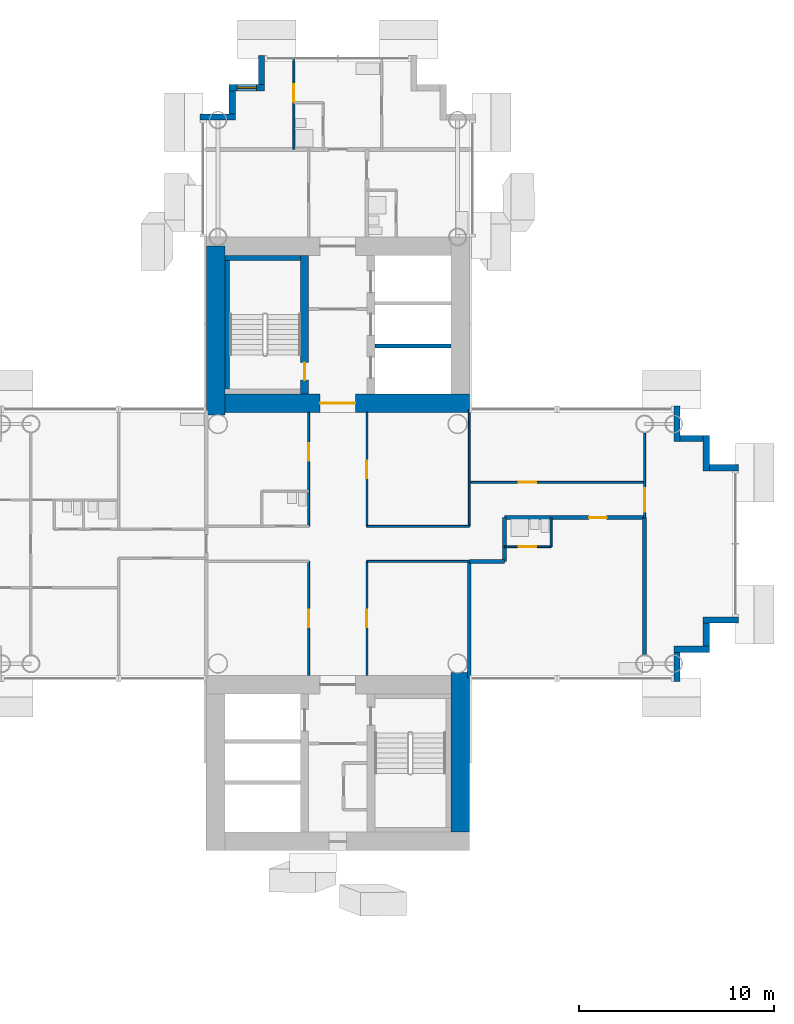
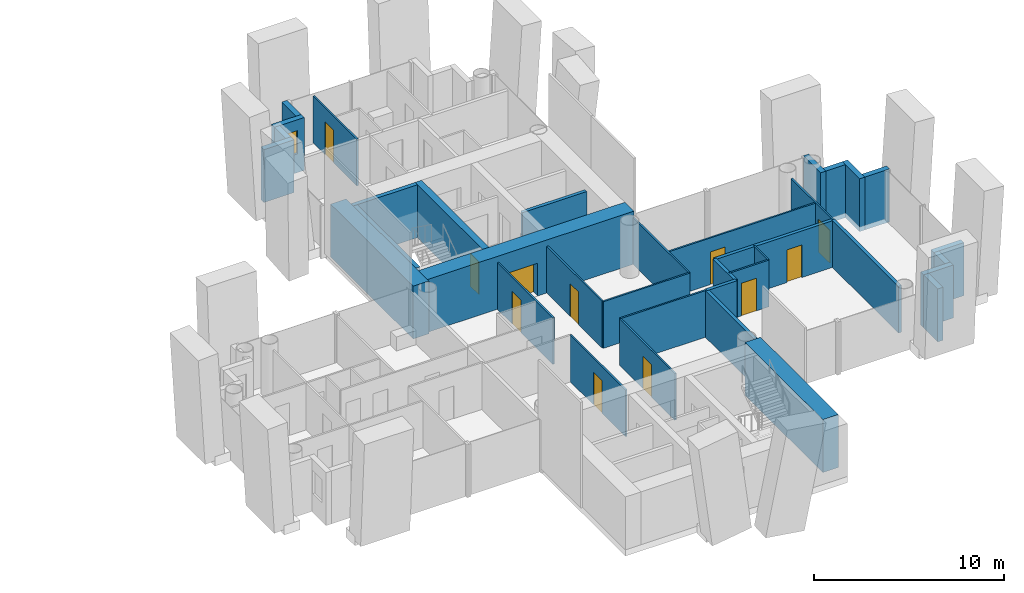
# One storey, part 13 of 21: 36 walls, 11 doors, 1 window, 12 openings.
"""IFC4 building model written with IfcOpenShell, lengths in metres."""

from ifc_helpers import new_model, si_unit, direction, frame, frame_2d, origin, place, context, subcontext, project, spatial, rectangle, extrude, material, layer, layer_set, type_object, element, fill, save


model = new_model("IFC4")

# Units and contexts
model_context = context("Model", 3, precision=1e-05, world=origin(), true_north=direction((0.0, 1.0)))
body_context = subcontext(model_context, "Body", "Model", "MODEL_VIEW")
ifc_project = project(units=[si_unit("LENGTHUNIT", "METRE"), si_unit("AREAUNIT", "SQUARE_METRE"), si_unit("VOLUMEUNIT", "CUBIC_METRE"), si_unit("PLANEANGLEUNIT", "RADIAN"), si_unit("MASSUNIT", "GRAM", prefix="KILO")], contexts=[model_context])

# Site, building, storey
site_placement = place(None, origin())
site = spatial("IfcSite", under=ifc_project, at=site_placement, CompositionType="ELEMENT")
building_placement = place(site_placement, origin())
building = spatial("IfcBuilding", under=site, at=building_placement, Name="Ipe Terrace Towers", CompositionType="ELEMENT")
storey_placement = place(building_placement, frame((0.0, 0.0, 107.199951171875)))
storey = spatial("IfcBuildingStorey", under=building, at=storey_placement, Name="L29", CompositionType="ELEMENT", Elevation=107.199951171875)

# Walls
ifc_material_1 = material(Name="Concrete C40/50 with buff precast cladding", Category="concrete")
ifc_layer_1 = layer(ifc_material_1, 0.320068359375)
ifc_layer_set_1 = layer_set([ifc_layer_1], Name="BUFF CLADDING WALL 320")
wall_type_1 = type_object("IfcWallType", Name="BUFF CLADDING WALL 320", PredefinedType="STANDARD", material=ifc_layer_set_1)
wall_1_placement = place(storey_placement, frame((53.409912109375, -7.070068359375, -0.300048828125), z_axis=(0.0, 0.0, 1.0), x_axis=(0.0, 1.0, 0.0)))
element("IfcWall", 1, at=wall_1_placement, inside=storey, type_object=wall_type_1, Name="T2-W-L29-04a wall", PredefinedType="STANDARD", context=body_context, shape_type="SweptSolid", body=[
    extrude(rectangle(XDim=1.5, YDim=0.320068359375, at=frame_2d((0.75, 0.0))), origin(), (0.0, 0.0, 1.0), 3.400146484375),
])
wall_2_placement = place(storey_placement, frame((53.25, -5.409912109375, -0.300048828125), z_axis=(0.0, 0.0, 1.0), x_axis=(1.0, 0.0, 0.0)))
element("IfcWall", 2, at=wall_2_placement, inside=storey, type_object=wall_type_1, Name="T2-W-L29-05a wall", PredefinedType="STANDARD", context=body_context, shape_type="SweptSolid", body=[
    extrude(rectangle(XDim=1.820068359375, YDim=0.320068359375, at=frame_2d((0.91015625, 0.0))), origin(), (0.0, 0.0, 1.0), 3.400146484375),
])
wall_3_placement = place(storey_placement, frame((54.909912109375, -5.25, -0.300048828125), z_axis=(0.0, 0.0, 1.0), x_axis=(0.0, 1.0, 0.0)))
element("IfcWall", 3, at=wall_3_placement, inside=storey, type_object=wall_type_1, Name="T2-W-L29-06a wall", PredefinedType="STANDARD", context=body_context, shape_type="SweptSolid", body=[
    extrude(rectangle(XDim=1.179931640625, YDim=0.320068359375, at=frame_2d((0.58984375, 0.0))), origin(), (0.0, 0.0, 1.0), 3.400146484375),
])
wall_4_placement = place(storey_placement, frame((54.75, -3.909912109375, -0.300048828125), z_axis=(0.0, 0.0, 1.0), x_axis=(1.0, 0.0, 0.0)))
element("IfcWall", 4, at=wall_4_placement, inside=storey, type_object=wall_type_1, Name="T2-W-L29-07a wall", PredefinedType="STANDARD", context=body_context, shape_type="SweptSolid", body=[
    extrude(rectangle(XDim=1.820068359375, YDim=0.320068359375, at=frame_2d((0.91015625, 0.0))), origin(), (0.0, 0.0, 1.0), 3.400146484375),
])
wall_5_placement = place(storey_placement, frame((56.570068359375, 3.909912109375, -0.300048828125), z_axis=(0.0, 0.0, 1.0), x_axis=(-1.0, 0.0, 0.0)))
element("IfcWall", 5, at=wall_5_placement, inside=storey, type_object=wall_type_1, Name="T2-W-L29-09a wall", PredefinedType="STANDARD", context=body_context, shape_type="SweptSolid", body=[
    extrude(rectangle(XDim=1.5, YDim=0.320068359375, at=frame_2d((0.75, 0.0))), origin(), (0.0, 0.0, 1.0), 3.400146484375),
])
wall_6_placement = place(storey_placement, frame((54.909912109375, 3.75, -0.300048828125), z_axis=(0.0, 0.0, 1.0), x_axis=(0.0, 1.0, 0.0)))
element("IfcWall", 6, at=wall_6_placement, inside=storey, type_object=wall_type_1, Name="T2-W-L29-10a wall", PredefinedType="STANDARD", context=body_context, shape_type="SweptSolid", body=[
    extrude(rectangle(XDim=1.820068359375, YDim=0.320068359375, at=frame_2d((0.91015625, 0.0))), origin(), (0.0, 0.0, 1.0), 3.400146484375),
])
wall_7_placement = place(storey_placement, frame((54.75, 5.409912109375, -0.300048828125), z_axis=(0.0, 0.0, 1.0), x_axis=(-1.0, 0.0, 0.0)))
element("IfcWall", 7, at=wall_7_placement, inside=storey, type_object=wall_type_1, Name="T2-W-L29-11a wall", PredefinedType="STANDARD", context=body_context, shape_type="SweptSolid", body=[
    extrude(rectangle(XDim=1.179931640625, YDim=0.320068359375, at=frame_2d((0.58984375, 0.0))), origin(), (0.0, 0.0, 1.0), 3.400146484375),
])
wall_8_placement = place(storey_placement, frame((53.409912109375, 5.25, -0.300048828125), z_axis=(0.0, 0.0, 1.0), x_axis=(0.0, 1.0, 0.0)))
element("IfcWall", 8, at=wall_8_placement, inside=storey, type_object=wall_type_1, Name="T2-W-L29-12a wall", PredefinedType="STANDARD", context=body_context, shape_type="SweptSolid", body=[
    extrude(rectangle(XDim=1.820068359375, YDim=0.320068359375, at=frame_2d((0.91015625, 0.0))), origin(), (0.0, 0.0, 1.0), 3.400146484375),
])
wall_9_placement = place(storey_placement, frame((32.090087890625, 25.070068359375, -0.300048828125), z_axis=(0.0, 0.0, 1.0), x_axis=(0.0, -1.0, 0.0)))
element("IfcWall", 9, at=wall_9_placement, inside=storey, type_object=wall_type_1, Name="T2-W-L29-22a wall", PredefinedType="STANDARD", context=body_context, shape_type="SweptSolid", body=[
    extrude(rectangle(XDim=1.5, YDim=0.320068359375, at=frame_2d((0.75, 0.0))), origin(), (0.0, 0.0, 1.0), 3.400146484375),
])

# Wall, opening, window
wall_10_placement = place(storey_placement, frame((32.25, 23.409912109375, -0.300048828125), z_axis=(0.0, 0.0, 1.0), x_axis=(-1.0, 0.0, 0.0)))
wall_10 = element("IfcWall", 10, at=wall_10_placement, inside=storey, type_object=wall_type_1, Name="T2-W-L29-23a wall", PredefinedType="STANDARD", context=body_context, shape_type="SweptSolid", body=[
    extrude(rectangle(XDim=1.820068359375, YDim=0.320068359375, at=frame_2d((0.91015625, 0.0))), origin(), (0.0, 0.0, 1.0), 3.400146484375),
])
opening_1_placement = place(wall_10_placement, frame((0.409912109375, 0.0, 1.199951171875)))
opening_1 = element("IfcOpeningElement", 11, at=opening_1_placement, cuts=wall_10, Name="Opening T2-W-05-L29-03", PredefinedType="OPENING", context=body_context, shape_type="SweptSolid", body=[
    extrude(rectangle(XDim=1.0, YDim=1.5, at=frame_2d((0.5, 0.75))), frame((0.0, 0.169921875, 0.0), z_axis=(0.0, -1.0, 0.0), x_axis=(1.0, 0.0, 0.0)), (0.0, 0.0, 1.0), 0.340087890625),
])
ifc_material_2 = material(Name="Glass, clear laminated", Category="glass")
window_type = type_object("IfcWindowType", Name="DWELLING WINDOW 1000 x 1500", PartitioningType="SINGLE_PANEL", PredefinedType="WINDOW", material=ifc_material_2)
window_placement = place(opening_1_placement, origin())
window = element("IfcWindow", 12, at=window_placement, inside=storey, type_object=window_type, Name="W-05 window", OverallHeight=1.5, OverallWidth=1.0, PartitioningType="SINGLE_PANEL", PredefinedType="WINDOW", context=body_context, shape_type="SweptSolid", body=[
    extrude(rectangle(XDim=1.0, YDim=1.5, at=frame_2d((0.5, 0.75))), frame((0.0, 0.030029296875, 0.0), z_axis=(0.0, -1.0, 0.0), x_axis=(1.0, 0.0, 0.0)), (0.0, 0.0, 1.0), 0.06005859375),
])
fill(opening_1, window)

# Walls
wall_11_placement = place(storey_placement, frame((30.590087890625, 23.25, -0.300048828125), z_axis=(0.0, 0.0, 1.0), x_axis=(0.0, -1.0, 0.0)))
element("IfcWall", 13, at=wall_11_placement, inside=storey, type_object=wall_type_1, Name="T2-W-L29-24a wall", PredefinedType="STANDARD", context=body_context, shape_type="SweptSolid", body=[
    extrude(rectangle(XDim=1.179931640625, YDim=0.320068359375, at=frame_2d((0.58984375, 0.0))), origin(), (0.0, 0.0, 1.0), 3.400146484375),
])
wall_12_placement = place(storey_placement, frame((30.75, 21.909912109375, -0.300048828125), z_axis=(0.0, 0.0, 1.0), x_axis=(-1.0, 0.0, 0.0)))
element("IfcWall", 14, at=wall_12_placement, inside=storey, type_object=wall_type_1, Name="T2-W-L29-25a wall", PredefinedType="STANDARD", context=body_context, shape_type="SweptSolid", body=[
    extrude(rectangle(XDim=1.820068359375, YDim=0.320068359375, at=frame_2d((0.91015625, 0.0))), origin(), (0.0, 0.0, 1.0), 3.400146484375),
])
ifc_material_3 = material(Name="Gypsum board partition", Category="plasterboard")
ifc_layer_2 = layer(ifc_material_3, 0.10009765625)
ifc_layer_set_2 = layer_set([ifc_layer_2], Name="Gypsum board partition 100 mm")
wall_type_2 = type_object("IfcWallType", Name="Gypsum board partition 100 mm", PredefinedType="PARTITIONING", material=ifc_layer_set_2)
wall_13_placement = place(storey_placement, frame((42.75, -0.89990234375, 0.0), z_axis=(0.0, 0.0, 1.0), x_axis=(-1.0, 0.0, 0.0)))
element("IfcWall", 15, at=wall_13_placement, inside=storey, type_object=wall_type_2, Name="Gypsum board partition T2 L29 W02", PredefinedType="PARTITIONING", context=body_context, shape_type="SweptSolid", body=[
    extrude(rectangle(XDim=5.25, YDim=0.10009765625, at=frame_2d((2.625, 0.0))), origin(), (0.0, 0.0, 1.0), 3.0),
])

# Wall, opening, door
wall_14_placement = place(storey_placement, frame((46.949951171875, -0.14990234375, 0.0), z_axis=(0.0, 0.0, 1.0), x_axis=(-1.0, 0.0, 0.0)))
wall_14 = element("IfcWall", 16, at=wall_14_placement, inside=storey, type_object=wall_type_2, Name="Gypsum board partition T2 L29 W06", PredefinedType="PARTITIONING", context=body_context, shape_type="SweptSolid", body=[
    extrude(rectangle(XDim=2.39990234375, YDim=0.10009765625, at=frame_2d((1.199951171875, 0.0))), origin(), (0.0, 0.0, 1.0), 3.0),
])
opening_2_placement = place(wall_14_placement, frame((0.75, 0.0, 0.0)))
opening_2 = element("IfcOpeningElement", 17, at=opening_2_placement, cuts=wall_14, Name="Opening T2-Z2F-18", PredefinedType="OPENING", context=body_context, shape_type="SweptSolid", body=[
    extrude(rectangle(XDim=0.89990234375, YDim=2.10009765625, at=frame_2d((0.449951171875, 1.050048828125))), frame((0.0, 0.06005859375, 0.0), z_axis=(0.0, -1.0, 0.0), x_axis=(1.0, 0.0, 0.0)), (0.0, 0.0, 1.0), 0.1201171875),
])
ifc_material_4 = material(Name="Timber door leaf", Category="wood")
door_type_1 = type_object("IfcDoorType", Name="Bathroom door 900 x 2100", OperationType="NOTDEFINED", PredefinedType="DOOR", material=ifc_material_4)
door_1_placement = place(opening_2_placement, origin())
door_1 = element("IfcDoor", 18, at=door_1_placement, inside=storey, type_object=door_type_1, Name="Bathroom door T2-Z2F-18", OperationType="SINGLE_SWING_RIGHT", OverallHeight=2.10009765625, OverallWidth=0.89990234375, PredefinedType="DOOR", context=body_context, shape_type="SweptSolid", body=[
    extrude(rectangle(XDim=0.89990234375, YDim=2.10009765625, at=frame_2d((0.449951171875, 1.050048828125))), frame((0.0, 0.02490234375, 0.0), z_axis=(0.0, -1.0, 0.0), x_axis=(1.0, 0.0, 0.0)), (0.0, 0.0, 1.0), 0.050048828125),
])
fill(opening_2, door_1)

# Wall
wall_15_placement = place(storey_placement, frame((42.75, 0.89990234375, 0.0), z_axis=(0.0, 0.0, 1.0), x_axis=(-1.0, 0.0, 0.0)))
element("IfcWall", 19, at=wall_15_placement, inside=storey, type_object=wall_type_2, Name="Gypsum board partition T2 L29 W08", PredefinedType="PARTITIONING", context=body_context, shape_type="SweptSolid", body=[
    extrude(rectangle(XDim=5.25, YDim=0.10009765625, at=frame_2d((2.625, 0.0))), origin(), (0.0, 0.0, 1.0), 3.0),
])

# Wall, opening, door
wall_16_placement = place(storey_placement, frame((51.75, 3.14990234375, 0.0), z_axis=(0.0, 0.0, 1.0), x_axis=(-1.0, 0.0, 0.0)))
wall_16 = element("IfcWall", 20, at=wall_16_placement, inside=storey, type_object=wall_type_2, Name="Gypsum board partition T2 L29 W13", PredefinedType="PARTITIONING", context=body_context, shape_type="SweptSolid", body=[
    extrude(rectangle(XDim=9.0, YDim=0.10009765625, at=frame_2d((4.5, 0.0))), origin(), (0.0, 0.0, 1.0), 3.0),
])
opening_3_placement = place(wall_16_placement, frame((5.550048828125, 0.0, 0.0)))
opening_3 = element("IfcOpeningElement", 21, at=opening_3_placement, cuts=wall_16, Name="Opening T2-Z2F-16", PredefinedType="OPENING", context=body_context, shape_type="SweptSolid", body=[
    extrude(rectangle(XDim=0.89990234375, YDim=2.10009765625, at=frame_2d((0.449951171875, 1.050048828125))), frame((0.0, 0.06005859375, 0.0), z_axis=(0.0, -1.0, 0.0), x_axis=(1.0, 0.0, 0.0)), (0.0, 0.0, 1.0), 0.1201171875),
])
ifc_material_5 = material(Name="Timber door leaf", Category="wood")
door_type_2 = type_object("IfcDoorType", Name="Lounge door 900 x 2100", OperationType="NOTDEFINED", PredefinedType="DOOR", material=ifc_material_5)
door_2_placement = place(opening_3_placement, origin())
door_2 = element("IfcDoor", 22, at=door_2_placement, inside=storey, type_object=door_type_2, Name="Lounge door T2-Z2F-16", OperationType="SINGLE_SWING_RIGHT", OverallHeight=2.10009765625, OverallWidth=0.89990234375, PredefinedType="DOOR", context=body_context, shape_type="SweptSolid", body=[
    extrude(rectangle(XDim=0.89990234375, YDim=2.10009765625, at=frame_2d((0.449951171875, 1.050048828125))), frame((0.0, 0.02490234375, 0.0), z_axis=(0.0, -1.0, 0.0), x_axis=(1.0, 0.0, 0.0)), (0.0, 0.0, 1.0), 0.050048828125),
])
fill(opening_3, door_2)

wall_17_placement = place(storey_placement, frame((51.75, 1.35009765625, 0.0), z_axis=(0.0, 0.0, 1.0), x_axis=(0.0, 1.0, 0.0)))
wall_17 = element("IfcWall", 23, at=wall_17_placement, inside=storey, type_object=wall_type_2, Name="Gypsum board partition T2 L29 W17", PredefinedType="PARTITIONING", context=body_context, shape_type="SweptSolid", body=[
    extrude(rectangle(XDim=4.349853515625, YDim=0.10009765625, at=frame_2d((2.1748046875, 0.0))), origin(), (0.0, 0.0, 1.0), 3.0),
])
opening_4_placement = place(wall_17_placement, frame((0.300048828125, 0.0, 0.0)))
opening_4 = element("IfcOpeningElement", 24, at=opening_4_placement, cuts=wall_17, Name="Opening T2-Z2F-19", PredefinedType="OPENING", context=body_context, shape_type="SweptSolid", body=[
    extrude(rectangle(XDim=1.199951171875, YDim=2.10009765625, at=frame_2d((0.60009765625, 1.050048828125))), frame((0.0, 0.06005859375, 0.0), z_axis=(0.0, -1.0, 0.0), x_axis=(1.0, 0.0, 0.0)), (0.0, 0.0, 1.0), 0.1201171875),
])
ifc_material_6 = material(Name="Timber door leaf", Category="wood")
door_type_3 = type_object("IfcDoorType", Name="Lounge door 1200 x 2100", OperationType="NOTDEFINED", PredefinedType="DOOR", material=ifc_material_6)
door_3_placement = place(opening_4_placement, origin())
door_3 = element("IfcDoor", 25, at=door_3_placement, inside=storey, type_object=door_type_3, Name="Lounge door T2-Z2F-19", OperationType="SINGLE_SWING_LEFT", OverallHeight=2.10009765625, OverallWidth=1.199951171875, PredefinedType="DOOR", context=body_context, shape_type="SweptSolid", body=[
    extrude(rectangle(XDim=1.199951171875, YDim=2.10009765625, at=frame_2d((0.60009765625, 1.050048828125))), frame((0.0, 0.02490234375, 0.0), z_axis=(0.0, -1.0, 0.0), x_axis=(1.0, 0.0, 0.0)), (0.0, 0.0, 1.0), 0.050048828125),
])
fill(opening_4, door_3)

# Walls
wall_18_placement = place(storey_placement, frame((46.949951171875, -0.14990234375, 0.0), z_axis=(0.0, 0.0, 1.0), x_axis=(0.0, 1.0, 0.0)))
element("IfcWall", 26, at=wall_18_placement, inside=storey, type_object=wall_type_2, Name="Gypsum board partition T2 L29 W19", PredefinedType="PARTITIONING", context=body_context, shape_type="SweptSolid", body=[
    extrude(rectangle(XDim=1.5, YDim=0.10009765625, at=frame_2d((0.75, 0.0))), origin(), (0.0, 0.0, 1.0), 3.0),
])
wall_19_placement = place(storey_placement, frame((42.75, 0.89990234375, 0.0), z_axis=(0.0, 0.0, 1.0), x_axis=(0.0, 1.0, 0.0)))
element("IfcWall", 27, at=wall_19_placement, inside=storey, type_object=wall_type_2, Name="Gypsum board partition T2 L29 W21", PredefinedType="PARTITIONING", context=body_context, shape_type="SweptSolid", body=[
    extrude(rectangle(XDim=5.9501953125, YDim=0.10009765625, at=frame_2d((2.97509765625, 0.0))), origin(), (0.0, 0.0, 1.0), 3.0),
])

# Wall, opening, door
wall_20_placement = place(storey_placement, frame((37.5, -6.75, 0.0), z_axis=(0.0, 0.0, 1.0), x_axis=(0.0, 1.0, 0.0)))
wall_20 = element("IfcWall", 28, at=wall_20_placement, inside=storey, type_object=wall_type_2, Name="Gypsum board partition T2 L29 W25", PredefinedType="PARTITIONING", context=body_context, shape_type="SweptSolid", body=[
    extrude(rectangle(XDim=5.85009765625, YDim=0.10009765625, at=frame_2d((2.925048828125, 0.0))), origin(), (0.0, 0.0, 1.0), 3.0),
])
opening_5_placement = place(wall_20_placement, frame((2.47509765625, 0.0, 0.0)))
opening_5 = element("IfcOpeningElement", 29, at=opening_5_placement, cuts=wall_20, Name="Opening T2-Z2F-04", PredefinedType="OPENING", context=body_context, shape_type="SweptSolid", body=[
    extrude(rectangle(XDim=0.89990234375, YDim=2.10009765625, at=frame_2d((0.449951171875, 1.050048828125))), frame((0.0, 0.06005859375, 0.0), z_axis=(0.0, -1.0, 0.0), x_axis=(1.0, 0.0, 0.0)), (0.0, 0.0, 1.0), 0.1201171875),
])
door_4_placement = place(opening_5_placement, origin())
door_4 = element("IfcDoor", 30, at=door_4_placement, inside=storey, type_object=door_type_2, Name="Lounge door T2-Z2F-04", OperationType="SINGLE_SWING_LEFT", OverallHeight=2.10009765625, OverallWidth=0.89990234375, PredefinedType="DOOR", context=body_context, shape_type="SweptSolid", body=[
    extrude(rectangle(XDim=0.89990234375, YDim=2.10009765625, at=frame_2d((0.449951171875, 1.050048828125))), frame((0.0, 0.02490234375, 0.0), z_axis=(0.0, -1.0, 0.0), x_axis=(1.0, 0.0, 0.0)), (0.0, 0.0, 1.0), 0.050048828125),
])
fill(opening_5, door_4)

wall_21_placement = place(storey_placement, frame((37.5, 0.89990234375, 0.0), z_axis=(0.0, 0.0, 1.0), x_axis=(0.0, 1.0, 0.0)))
wall_21 = element("IfcWall", 31, at=wall_21_placement, inside=storey, type_object=wall_type_2, Name="Gypsum board partition T2 L29 W26", PredefinedType="PARTITIONING", context=body_context, shape_type="SweptSolid", body=[
    extrude(rectangle(XDim=5.85009765625, YDim=0.10009765625, at=frame_2d((2.925048828125, 0.0))), origin(), (0.0, 0.0, 1.0), 3.0),
])
opening_6_placement = place(wall_21_placement, frame((2.47509765625, 0.0, 0.0)))
opening_6 = element("IfcOpeningElement", 32, at=opening_6_placement, cuts=wall_21, Name="Opening T2-Z2F-05", PredefinedType="OPENING", context=body_context, shape_type="SweptSolid", body=[
    extrude(rectangle(XDim=0.89990234375, YDim=2.10009765625, at=frame_2d((0.449951171875, 1.050048828125))), frame((0.0, 0.06005859375, 0.0), z_axis=(0.0, -1.0, 0.0), x_axis=(1.0, 0.0, 0.0)), (0.0, 0.0, 1.0), 0.1201171875),
])
door_5_placement = place(opening_6_placement, origin())
door_5 = element("IfcDoor", 33, at=door_5_placement, inside=storey, type_object=door_type_2, Name="Lounge door T2-Z2F-05", OperationType="SINGLE_SWING_RIGHT", OverallHeight=2.10009765625, OverallWidth=0.89990234375, PredefinedType="DOOR", context=body_context, shape_type="SweptSolid", body=[
    extrude(rectangle(XDim=0.89990234375, YDim=2.10009765625, at=frame_2d((0.449951171875, 1.050048828125))), frame((0.0, 0.02490234375, 0.0), z_axis=(0.0, -1.0, 0.0), x_axis=(1.0, 0.0, 0.0)), (0.0, 0.0, 1.0), 0.050048828125),
])
fill(opening_6, door_5)

wall_22_placement = place(storey_placement, frame((34.5, -6.75, 0.0), z_axis=(0.0, 0.0, 1.0), x_axis=(0.0, 1.0, 0.0)))
wall_22 = element("IfcWall", 34, at=wall_22_placement, inside=storey, type_object=wall_type_2, Name="Gypsum board partition T2 L29 W29", PredefinedType="PARTITIONING", context=body_context, shape_type="SweptSolid", body=[
    extrude(rectangle(XDim=5.85009765625, YDim=0.10009765625, at=frame_2d((2.925048828125, 0.0))), origin(), (0.0, 0.0, 1.0), 3.0),
])
opening_7_placement = place(wall_22_placement, frame((2.47509765625, 0.0, 0.0)))
opening_7 = element("IfcOpeningElement", 35, at=opening_7_placement, cuts=wall_22, Name="Opening T2-Z2F-03", PredefinedType="OPENING", context=body_context, shape_type="SweptSolid", body=[
    extrude(rectangle(XDim=0.89990234375, YDim=2.10009765625, at=frame_2d((0.449951171875, 1.050048828125))), frame((0.0, 0.06005859375, 0.0), z_axis=(0.0, -1.0, 0.0), x_axis=(1.0, 0.0, 0.0)), (0.0, 0.0, 1.0), 0.1201171875),
])
door_6_placement = place(opening_7_placement, origin())
door_6 = element("IfcDoor", 36, at=door_6_placement, inside=storey, type_object=door_type_2, Name="Lounge door T2-Z2F-03", OperationType="SINGLE_SWING_RIGHT", OverallHeight=2.10009765625, OverallWidth=0.89990234375, PredefinedType="DOOR", context=body_context, shape_type="SweptSolid", body=[
    extrude(rectangle(XDim=0.89990234375, YDim=2.10009765625, at=frame_2d((0.449951171875, 1.050048828125))), frame((0.0, 0.02490234375, 0.0), z_axis=(0.0, -1.0, 0.0), x_axis=(1.0, 0.0, 0.0)), (0.0, 0.0, 1.0), 0.050048828125),
])
fill(opening_7, door_6)

wall_23_placement = place(storey_placement, frame((34.5, 0.89990234375, 0.0), z_axis=(0.0, 0.0, 1.0), x_axis=(0.0, 1.0, 0.0)))
wall_23 = element("IfcWall", 37, at=wall_23_placement, inside=storey, type_object=wall_type_2, Name="Gypsum board partition T2 L29 W30", PredefinedType="PARTITIONING", context=body_context, shape_type="SweptSolid", body=[
    extrude(rectangle(XDim=5.85009765625, YDim=0.10009765625, at=frame_2d((2.925048828125, 0.0))), origin(), (0.0, 0.0, 1.0), 3.0),
])
opening_8_placement = place(wall_23_placement, frame((3.375, 0.0, 0.0)))
opening_8 = element("IfcOpeningElement", 38, at=opening_8_placement, cuts=wall_23, Name="Opening T2-Z2F-02", PredefinedType="OPENING", context=body_context, shape_type="SweptSolid", body=[
    extrude(rectangle(XDim=0.89990234375, YDim=2.10009765625, at=frame_2d((0.449951171875, 1.050048828125))), frame((0.0, 0.06005859375, 0.0), z_axis=(0.0, -1.0, 0.0), x_axis=(1.0, 0.0, 0.0)), (0.0, 0.0, 1.0), 0.1201171875),
])
door_7_placement = place(opening_8_placement, origin())
door_7 = element("IfcDoor", 39, at=door_7_placement, inside=storey, type_object=door_type_2, Name="Lounge door T2-Z2F-02", OperationType="SINGLE_SWING_LEFT", OverallHeight=2.10009765625, OverallWidth=0.89990234375, PredefinedType="DOOR", context=body_context, shape_type="SweptSolid", body=[
    extrude(rectangle(XDim=0.89990234375, YDim=2.10009765625, at=frame_2d((0.449951171875, 1.050048828125))), frame((0.0, 0.02490234375, 0.0), z_axis=(0.0, -1.0, 0.0), x_axis=(1.0, 0.0, 0.0)), (0.0, 0.0, 1.0), 0.050048828125),
])
fill(opening_8, door_7)

wall_24_placement = place(storey_placement, frame((33.75, 20.25, 0.0), z_axis=(0.0, 0.0, 1.0), x_axis=(0.0, 1.0, 0.0)))
wall_24 = element("IfcWall", 40, at=wall_24_placement, inside=storey, type_object=wall_type_2, Name="Gypsum board partition T2 L29 W32", PredefinedType="PARTITIONING", context=body_context, shape_type="SweptSolid", body=[
    extrude(rectangle(XDim=4.60009765625, YDim=0.10009765625, at=frame_2d((2.300048828125, 0.0))), origin(), (0.0, 0.0, 1.0), 3.0),
])
opening_9_placement = place(wall_24_placement, frame((2.449951171875, 0.0, 0.0)))
opening_9 = element("IfcOpeningElement", 41, at=opening_9_placement, cuts=wall_24, Name="Opening T2-Z2F-25", PredefinedType="OPENING", context=body_context, shape_type="SweptSolid", body=[
    extrude(rectangle(XDim=0.89990234375, YDim=2.10009765625, at=frame_2d((0.449951171875, 1.050048828125))), frame((0.0, 0.06005859375, 0.0), z_axis=(0.0, -1.0, 0.0), x_axis=(1.0, 0.0, 0.0)), (0.0, 0.0, 1.0), 0.1201171875),
])
ifc_material_7 = material(Name="Timber door leaf", Category="wood")
door_type_4 = type_object("IfcDoorType", Name="Bedroom door 900 x 2100", OperationType="NOTDEFINED", PredefinedType="DOOR", material=ifc_material_7)
door_8_placement = place(opening_9_placement, origin())
door_8 = element("IfcDoor", 42, at=door_8_placement, inside=storey, type_object=door_type_4, Name="Bedroom door T2-Z2F-25", OperationType="SINGLE_SWING_LEFT", OverallHeight=2.10009765625, OverallWidth=0.89990234375, PredefinedType="DOOR", context=body_context, shape_type="SweptSolid", body=[
    extrude(rectangle(XDim=0.89990234375, YDim=2.10009765625, at=frame_2d((0.449951171875, 1.050048828125))), frame((0.0, 0.02490234375, 0.0), z_axis=(0.0, -1.0, 0.0), x_axis=(1.0, 0.0, 0.0)), (0.0, 0.0, 1.0), 0.050048828125),
])
fill(opening_9, door_8)

# Walls
ifc_material_8 = material(Name="Gypsum board party wall", Category="plasterboard")
ifc_layer_3 = layer(ifc_material_8, 0.199951171875)
ifc_layer_set_3 = layer_set([ifc_layer_3], Name="Gypsum board party wall 200 mm")
wall_type_3 = type_object("IfcWallType", Name="Gypsum board party wall 200 mm", PredefinedType="SOLIDWALL", material=ifc_layer_set_3)
wall_25_placement = place(storey_placement, frame((41.800048828125, 10.14990234375, 0.0), z_axis=(0.0, 0.0, 1.0), x_axis=(-1.0, 0.0, 0.0)))
element("IfcWall", 43, at=wall_25_placement, inside=storey, type_object=wall_type_3, Name="Gypsum board party wall T2 L29 t2c1-shaft-div1", PredefinedType="SOLIDWALL", context=body_context, shape_type="SweptSolid", body=[
    extrude(rectangle(XDim=3.900146484375, YDim=0.199951171875, at=frame_2d((1.9501953125, 0.0))), origin(), (0.0, 0.0, 1.0), 3.0),
])
wall_26_placement = place(storey_placement, frame((44.550048828125, -0.89990234375, 0.0), z_axis=(0.0, 0.0, 1.0), x_axis=(-1.0, 0.0, 0.0)))
element("IfcWall", 44, at=wall_26_placement, inside=storey, type_object=wall_type_3, Name="Gypsum board party wall T2 L29 W04", PredefinedType="SOLIDWALL", context=body_context, shape_type="SweptSolid", body=[
    extrude(rectangle(XDim=1.800048828125, YDim=0.199951171875, at=frame_2d((0.89990234375, 0.0))), origin(), (0.0, 0.0, 1.0), 3.0),
])

# Wall, opening, door
wall_27_placement = place(storey_placement, frame((51.75, 1.35009765625, 0.0), z_axis=(0.0, 0.0, 1.0), x_axis=(-1.0, 0.0, 0.0)))
wall_27 = element("IfcWall", 45, at=wall_27_placement, inside=storey, type_object=wall_type_3, Name="Gypsum board party wall T2 L29 W10", PredefinedType="SOLIDWALL", context=body_context, shape_type="SweptSolid", body=[
    extrude(rectangle(XDim=7.199951171875, YDim=0.199951171875, at=frame_2d((3.60009765625, 0.0))), origin(), (0.0, 0.0, 1.0), 3.0),
])
opening_10_placement = place(wall_27_placement, frame((1.949951171875, 0.0, 0.0)))
opening_10 = element("IfcOpeningElement", 46, at=opening_10_placement, cuts=wall_27, Name="Opening T2-Z2F-17", PredefinedType="OPENING", context=body_context, shape_type="SweptSolid", body=[
    extrude(rectangle(XDim=0.89990234375, YDim=2.10009765625, at=frame_2d((0.449951171875, 1.050048828125))), frame((0.0, 0.10986328125, 0.0), z_axis=(0.0, -1.0, 0.0), x_axis=(1.0, 0.0, 0.0)), (0.0, 0.0, 1.0), 0.219970703125),
])
ifc_material_9 = material(Name="Fire-rated timber door leaf", Category="wood")
door_type_5 = type_object("IfcDoorType", Name="Flat entrance door 900 x 2100 FD30S", OperationType="NOTDEFINED", PredefinedType="DOOR", material=ifc_material_9)
door_9_placement = place(opening_10_placement, origin())
door_9 = element("IfcDoor", 47, at=door_9_placement, inside=storey, type_object=door_type_5, Name="Flat entrance door T2-Z2F-17", OperationType="SINGLE_SWING_RIGHT", OverallHeight=2.10009765625, OverallWidth=0.89990234375, PredefinedType="DOOR", context=body_context, shape_type="SweptSolid", body=[
    extrude(rectangle(XDim=0.89990234375, YDim=2.10009765625, at=frame_2d((0.449951171875, 1.050048828125))), frame((0.0, 0.02490234375, 0.0), z_axis=(0.0, -1.0, 0.0), x_axis=(1.0, 0.0, 0.0)), (0.0, 0.0, 1.0), 0.050048828125),
])
fill(opening_10, door_9)

# Walls
wall_28_placement = place(storey_placement, frame((51.75, -5.699951171875, 0.0), z_axis=(0.0, 0.0, 1.0), x_axis=(0.0, 1.0, 0.0)))
element("IfcWall", 48, at=wall_28_placement, inside=storey, type_object=wall_type_3, Name="Gypsum board party wall T2 L29 W18", PredefinedType="SOLIDWALL", context=body_context, shape_type="SweptSolid", body=[
    extrude(rectangle(XDim=7.050048828125, YDim=0.199951171875, at=frame_2d((3.52490234375, 0.0))), origin(), (0.0, 0.0, 1.0), 3.0),
])
wall_29_placement = place(storey_placement, frame((44.550048828125, -0.89990234375, 0.0), z_axis=(0.0, 0.0, 1.0), x_axis=(0.0, 1.0, 0.0)))
element("IfcWall", 49, at=wall_29_placement, inside=storey, type_object=wall_type_3, Name="Gypsum board party wall T2 L29 W20", PredefinedType="SOLIDWALL", context=body_context, shape_type="SweptSolid", body=[
    extrude(rectangle(XDim=2.25, YDim=0.199951171875, at=frame_2d((1.125, 0.0))), origin(), (0.0, 0.0, 1.0), 3.0),
])
wall_30_placement = place(storey_placement, frame((42.75, -6.85009765625, 0.0), z_axis=(0.0, 0.0, 1.0), x_axis=(0.0, 1.0, 0.0)))
element("IfcWall", 50, at=wall_30_placement, inside=storey, type_object=wall_type_3, Name="Gypsum board party wall T2 L29 W22", PredefinedType="SOLIDWALL", context=body_context, shape_type="SweptSolid", body=[
    extrude(rectangle(XDim=5.9501953125, YDim=0.199951171875, at=frame_2d((2.97509765625, 0.0))), origin(), (0.0, 0.0, 1.0), 3.0),
])
ifc_material_10 = material(Name="Concrete C50/60", Category="concrete")
ifc_layer_4 = layer(ifc_material_10, 0.25)
ifc_layer_set_4 = layer_set([ifc_layer_4], Name="RW250 CORE INFILL WALL 250 C50-60")
wall_type_4 = type_object("IfcWallType", Name="RW250 CORE INFILL WALL 250 C50-60", PredefinedType="SHEAR", material=ifc_layer_set_4)
wall_31_placement = place(storey_placement, frame((34.10009765625, 14.675048828125, 0.0), z_axis=(0.0, 0.0, 1.0), x_axis=(-1.0, 0.0, 0.0)))
element("IfcWall", 51, at=wall_31_placement, inside=storey, type_object=wall_type_4, Name="Core infill wall T2-C1-far", PredefinedType="SHEAR", context=body_context, shape_type="SweptSolid", body=[
    extrude(rectangle(XDim=3.900146484375, YDim=0.25, at=frame_2d((1.9501953125, 0.0))), origin(), (0.0, 0.0, 1.0), 3.400146484375),
])
wall_32_placement = place(storey_placement, frame((30.324951171875, 7.949951171875, 0.0), z_axis=(0.0, 0.0, 1.0), x_axis=(0.0, 1.0, 0.0)))
element("IfcWall", 52, at=wall_32_placement, inside=storey, type_object=wall_type_4, Name="Core infill wall T2-C1-back", PredefinedType="SHEAR", context=body_context, shape_type="SweptSolid", body=[
    extrude(rectangle(XDim=6.60009765625, YDim=0.25, at=frame_2d((3.300048828125, 0.0))), origin(), (0.0, 0.0, 1.0), 3.400146484375),
])

# Wall, opening, door
ifc_material_11 = material(Name="Concrete C50/60", Category="concrete")
ifc_layer_5 = layer(ifc_material_11, 0.39990234375)
ifc_layer_set_5 = layer_set([ifc_layer_5], Name="RW400 CORE SPINE WALL 400 C50-60")
wall_type_5 = type_object("IfcWallType", Name="RW400 CORE SPINE WALL 400 C50-60", PredefinedType="SHEAR", material=ifc_layer_set_5)
wall_33_placement = place(storey_placement, frame((34.300048828125, 7.699951171875, 0.0), z_axis=(0.0, 0.0, 1.0), x_axis=(0.0, 1.0, 0.0)))
wall_33 = element("IfcWall", 53, at=wall_33_placement, inside=storey, type_object=wall_type_5, Name="Core spine wall T2-C1-Z2-SW1", PredefinedType="SHEAR", context=body_context, shape_type="SweptSolid", body=[
    extrude(rectangle(XDim=7.10009765625, YDim=0.39990234375, at=frame_2d((3.550048828125, 0.0))), origin(), (0.0, 0.0, 1.0), 3.400146484375),
])
opening_11_placement = place(wall_33_placement, frame((0.699951171875, 0.0, 0.0)))
opening_11 = element("IfcOpeningElement", 54, at=opening_11_placement, cuts=wall_33, Name="Opening T2C1-SD", PredefinedType="OPENING", context=body_context, shape_type="SweptSolid", body=[
    extrude(rectangle(XDim=0.89990234375, YDim=2.10009765625, at=frame_2d((0.449951171875, 1.050048828125))), frame((0.0, 0.2099609375, 0.0), z_axis=(0.0, -1.0, 0.0), x_axis=(1.0, 0.0, 0.0)), (0.0, 0.0, 1.0), 0.419921875),
])
ifc_material_12 = material(Name="Fire-rated timber door leaf", Category="wood")
door_type_6 = type_object("IfcDoorType", Name="Stair door 900 x 2100 FD60", OperationType="NOTDEFINED", PredefinedType="DOOR", material=ifc_material_12)
door_10_placement = place(opening_11_placement, origin())
door_10 = element("IfcDoor", 55, at=door_10_placement, inside=storey, type_object=door_type_6, Name="Stair door T2C1-SD", OperationType="SINGLE_SWING_LEFT", OverallHeight=2.10009765625, OverallWidth=0.89990234375, PredefinedType="DOOR", context=body_context, shape_type="SweptSolid", body=[
    extrude(rectangle(XDim=0.89990234375, YDim=2.10009765625, at=frame_2d((0.449951171875, 1.050048828125))), frame((0.0, 0.02490234375, 0.0), z_axis=(0.0, -1.0, 0.0), x_axis=(1.0, 0.0, 0.0)), (0.0, 0.0, 1.0), 0.050048828125),
])
fill(opening_11, door_10)

ifc_material_13 = material(Name="Concrete C50/60", Category="concrete")
ifc_layer_6 = layer(ifc_material_13, 0.949951171875)
ifc_layer_set_6 = layer_set([ifc_layer_6], Name="RW950 CORE WALL 950 C50-60")
wall_type_6 = type_object("IfcWallType", Name="RW950 CORE WALL 950 C50-60", PredefinedType="SHEAR", material=ifc_layer_set_6)
wall_34_placement = place(storey_placement, frame((30.199951171875, 7.22509765625, 0.0), z_axis=(0.0, 0.0, 1.0), x_axis=(1.0, 0.0, 0.0)))
wall_34 = element("IfcWall", 56, at=wall_34_placement, inside=storey, type_object=wall_type_6, Name="Core wall T2-C1-Z2-W01", PredefinedType="SHEAR", context=body_context, shape_type="SweptSolid", body=[
    extrude(rectangle(XDim=12.550048828125, YDim=0.949951171875, at=frame_2d((6.27490234375, 0.0))), origin(), (0.0, 0.0, 1.0), 3.400146484375),
])
opening_12_placement = place(wall_34_placement, frame((4.89990234375, 0.0, 0.0)))
opening_12 = element("IfcOpeningElement", 57, at=opening_12_placement, cuts=wall_34, Name="Opening T2C1-ND", PredefinedType="OPENING", context=body_context, shape_type="SweptSolid", body=[
    extrude(rectangle(XDim=1.800048828125, YDim=2.10009765625, at=frame_2d((0.89990234375, 1.050048828125))), frame((0.0, 0.48486328125, 0.0), z_axis=(0.0, -1.0, 0.0), x_axis=(1.0, 0.0, 0.0)), (0.0, 0.0, 1.0), 0.969970703125),
])
ifc_material_14 = material(Name="Fire-rated timber door leaf", Category="wood")
door_type_7 = type_object("IfcDoorType", Name="Fire door 1800 x 2100 FD30S", OperationType="NOTDEFINED", PredefinedType="DOOR", material=ifc_material_14)
door_11_placement = place(opening_12_placement, origin())
door_11 = element("IfcDoor", 58, at=door_11_placement, inside=storey, type_object=door_type_7, Name="Fire door T2C1-ND", OperationType="SINGLE_SWING_LEFT", OverallHeight=2.10009765625, OverallWidth=1.800048828125, PredefinedType="DOOR", context=body_context, shape_type="SweptSolid", body=[
    extrude(rectangle(XDim=1.800048828125, YDim=2.10009765625, at=frame_2d((0.89990234375, 1.050048828125))), frame((0.0, 0.02490234375, 0.0), z_axis=(0.0, -1.0, 0.0), x_axis=(1.0, 0.0, 0.0)), (0.0, 0.0, 1.0), 0.050048828125),
])
fill(opening_12, door_11)

# Walls
wall_35_placement = place(storey_placement, frame((29.72509765625, 15.298095703125, 0.0), z_axis=(0.0, 0.0, 1.0), x_axis=(0.0, -1.0, 0.0)))
element("IfcWall", 59, at=wall_35_placement, inside=storey, type_object=wall_type_6, Name="Core wall T2-C1-Z2-W04", PredefinedType="SHEAR", context=body_context, shape_type="SweptSolid", body=[
    extrude(rectangle(XDim=8.696044921875, YDim=0.949951171875, at=frame_2d((4.34814453125, 0.0))), origin(), (0.0, 0.0, 1.0), 3.400146484375),
])
wall_36_placement = place(storey_placement, frame((42.27490234375, -14.800048828125, 0.0), z_axis=(0.0, 0.0, 1.0), x_axis=(0.0, 1.0, 0.0)))
element("IfcWall", 60, at=wall_36_placement, inside=storey, type_object=wall_type_6, Name="Core wall T2-C2-Z2-W02", PredefinedType="SHEAR", context=body_context, shape_type="SweptSolid", body=[
    extrude(rectangle(XDim=8.197998046875, YDim=0.949951171875, at=frame_2d((4.09912109375, 0.0))), origin(), (0.0, 0.0, 1.0), 3.400146484375),
])

save(model, "model.ifc")
